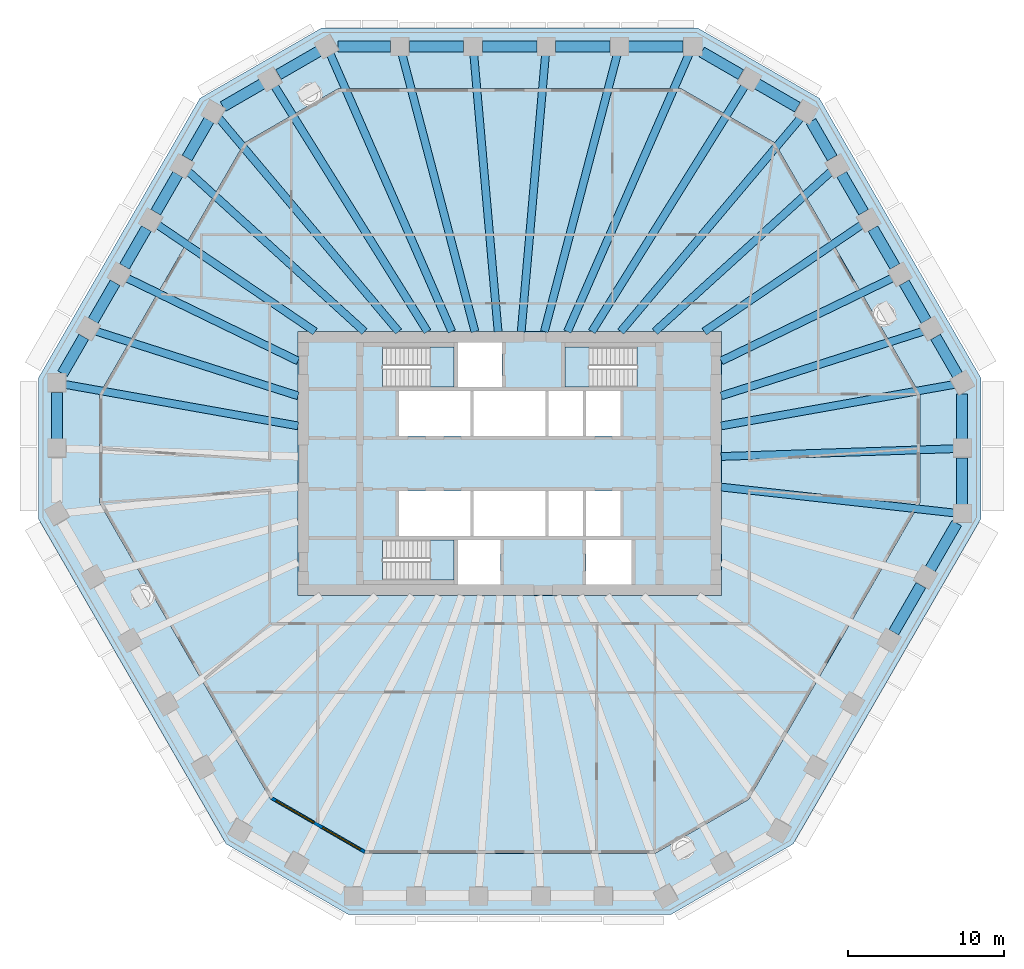
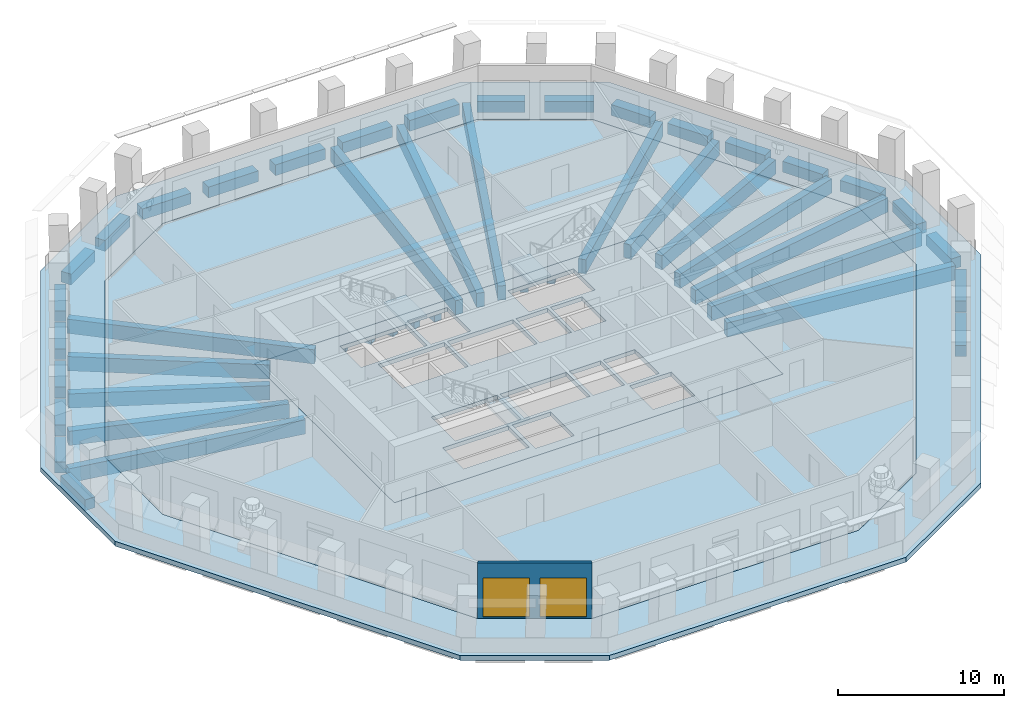
# One storey, part 2 of 12: 46 beams, 6 slabs, 2 windows, 1 wall, 2 openings, 3 elements without a shape of their own.
"""IFC4 building model written with IfcOpenShell, lengths in metres."""

from ifc_helpers import new_model, si_unit, direction, frame, frame_2d, origin, origin_2d, place, context, subcontext, project, spatial, polyline, rectangle, outline, extrude, material, layer, layer_set, material_profile, profile_set, type_object, element, fill, aggregate, save


model = new_model("IFC4")

# Units and contexts
model_context = context("Model", 3, precision=1e-05, world=origin(), true_north=direction((0.0, 1.0)))
body_context = subcontext(model_context, "Body", "Model", "MODEL_VIEW")
ifc_project = project(units=[si_unit("LENGTHUNIT", "METRE"), si_unit("AREAUNIT", "SQUARE_METRE"), si_unit("VOLUMEUNIT", "CUBIC_METRE"), si_unit("PLANEANGLEUNIT", "RADIAN"), si_unit("MASSUNIT", "GRAM", prefix="KILO")], contexts=[model_context])

# Site, building, storey
site_placement = place(None, origin())
site = spatial("IfcSite", under=ifc_project, at=site_placement, CompositionType="ELEMENT")
building_placement = place(site_placement, origin())
building = spatial("IfcBuilding", under=site, at=building_placement, Name="Frailejon Research Tower", CompositionType="ELEMENT")
storey_placement = place(building_placement, frame((0.0, 0.0, 176.0)))
storey = spatial("IfcBuildingStorey", under=building, at=storey_placement, Name="L38", CompositionType="ELEMENT", Elevation=176.0)

# Beams
ifc_material_1 = material(Name="Concrete C60/75", Category="concrete")
ifc_material_profile_1 = material_profile(ifc_material_1, rectangle(XDim=0.5, YDim=1.050048828125, at=origin_2d()), Name="Girder 500x1050")
ifc_profile_set_1 = profile_set([ifc_material_profile_1], Name="Concrete C60/75")
beam_type_1 = type_object("IfcBeamType", Name="Girder 500x1050", PredefinedType="BEAM", material=ifc_profile_set_1)
beam_1_placement = place(storey_placement, frame((28.520751953125, -3.16943359375, -0.824951171875), z_axis=(-0.993882548656, 0.110442199715, 0.0), x_axis=(-0.110442199715, -0.993882548656, 0.0)))
element("IfcBeam", 1, at=beam_1_placement, inside=storey, type_object=beam_type_1, Name="Girder 500x1050", PredefinedType="BEAM", context=body_context, shape_type="SweptSolid", body=[
    extrude(rectangle(XDim=0.5, YDim=1.050048828125, at=origin_2d()), origin(), (0.0, 0.0, 1.0), 15.062744140625),
])
beam_2_placement = place(storey_placement, frame((28.521484375, 0.952880859375, -0.824951171875), z_axis=(-0.999442244743, -0.033394601691, 0.0), x_axis=(0.033394601691, -0.999442244743, 0.0)))
element("IfcBeam", 2, at=beam_2_placement, inside=storey, type_object=beam_type_1, Name="Girder 500x1050", PredefinedType="BEAM", context=body_context, shape_type="SweptSolid", body=[
    extrude(rectangle(XDim=0.5, YDim=1.050048828125, at=origin_2d()), origin(), (0.0, 0.0, 1.0), 14.979736328125),
])
beam_3_placement = place(storey_placement, frame((28.490966796875, 5.070068359375, -0.824951171875), z_axis=(-0.984531009693, -0.175210419075, 0.0), x_axis=(0.175210419075, -0.984531009693, 0.0)))
element("IfcBeam", 3, at=beam_3_placement, inside=storey, type_object=beam_type_1, Name="Girder 500x1050", PredefinedType="BEAM", context=body_context, shape_type="SweptSolid", body=[
    extrude(rectangle(XDim=0.5, YDim=1.050048828125, at=origin_2d()), origin(), (0.0, 0.0, 1.0), 15.17578125),
])
beam_4_placement = place(storey_placement, frame((26.525390625, 8.485595703125, -0.824951171875), z_axis=(-0.952450361998, -0.304693793717, 0.0), x_axis=(0.304693793717, -0.952450361998, 0.0)))
element("IfcBeam", 4, at=beam_4_placement, inside=storey, type_object=beam_type_1, Name="Girder 500x1050", PredefinedType="BEAM", context=body_context, shape_type="SweptSolid", body=[
    extrude(rectangle(XDim=0.5, YDim=1.050048828125, at=origin_2d()), origin(), (0.0, 0.0, 1.0), 13.623046875),
])
beam_5_placement = place(storey_placement, frame((24.556884765625, 11.9013671875, -0.824951171875), z_axis=(-0.8998839043, -0.436129520649, 0.0), x_axis=(0.436129520649, -0.8998839043, 0.0)))
element("IfcBeam", 5, at=beam_5_placement, inside=storey, type_object=beam_type_1, Name="Girder 500x1050", PredefinedType="BEAM", context=body_context, shape_type="SweptSolid", body=[
    extrude(rectangle(XDim=0.5, YDim=1.050048828125, at=origin_2d()), origin(), (0.0, 0.0, 1.0), 12.2314453125),
])
beam_6_placement = place(storey_placement, frame((22.585205078125, 15.316162109375, -0.824951171875), z_axis=(-0.82763999311, -0.561259335606, 0.0), x_axis=(0.561259335606, -0.82763999311, 0.0)))
element("IfcBeam", 6, at=beam_6_placement, inside=storey, type_object=beam_type_1, Name="Girder 500x1050", PredefinedType="BEAM", context=body_context, shape_type="SweptSolid", body=[
    extrude(rectangle(XDim=0.5, YDim=1.050048828125, at=origin_2d()), origin(), (0.0, 0.0, 1.0), 12.233642578125),
])
beam_7_placement = place(storey_placement, frame((20.611328125, 18.72900390625, -0.824951171875), z_axis=(-0.740089665782, -0.672508205603, 0.0), x_axis=(0.672508205603, -0.740089665782, 0.0)))
element("IfcBeam", 7, at=beam_7_placement, inside=storey, type_object=beam_type_1, Name="Girder 500x1050", PredefinedType="BEAM", context=body_context, shape_type="SweptSolid", body=[
    extrude(rectangle(XDim=0.5, YDim=1.050048828125, at=origin_2d()), origin(), (0.0, 0.0, 1.0), 15.28466796875),
])
beam_8_placement = place(storey_placement, frame((18.65478515625, 22.160888671875, -0.824951171875), z_axis=(-0.643995206435, -0.765029524979, 0.0), x_axis=(0.765029524979, -0.643995206435, 0.0)))
element("IfcBeam", 8, at=beam_8_placement, inside=storey, type_object=beam_type_1, Name="Girder 500x1050", PredefinedType="BEAM", context=body_context, shape_type="SweptSolid", body=[
    extrude(rectangle(XDim=0.5, YDim=1.050048828125, at=origin_2d()), origin(), (0.0, 0.0, 1.0), 17.922119140625),
])
beam_9_placement = place(storey_placement, frame((15.0859375, 24.223876953125, -0.824951171875), z_axis=(-0.528635441931, -0.848848967446, 0.0), x_axis=(0.848848967446, -0.528635441931, 0.0)))
element("IfcBeam", 9, at=beam_9_placement, inside=storey, type_object=beam_type_1, Name="Girder 500x1050", PredefinedType="BEAM", context=body_context, shape_type="SweptSolid", body=[
    extrude(rectangle(XDim=0.5, YDim=1.050048828125, at=origin_2d()), origin(), (0.0, 0.0, 1.0), 18.582763671875),
])
beam_10_placement = place(storey_placement, frame((11.494873046875, 26.2373046875, -0.824951171875), z_axis=(-0.401294285485, -0.915949177868, 0.0), x_axis=(0.915949177868, -0.401294285485, 0.0)))
element("IfcBeam", 10, at=beam_10_placement, inside=storey, type_object=beam_type_1, Name="Girder 500x1050", PredefinedType="BEAM", context=body_context, shape_type="SweptSolid", body=[
    extrude(rectangle(XDim=0.5, YDim=1.050048828125, at=origin_2d()), origin(), (0.0, 0.0, 1.0), 19.419677734375),
])
beam_11_placement = place(storey_placement, frame((6.89892578125, 26.2451171875, -0.824951171875), z_axis=(-0.254228774629, -0.967144110332, 0.0), x_axis=(0.967144110332, -0.254228774629, 0.0)))
element("IfcBeam", 11, at=beam_11_placement, inside=storey, type_object=beam_type_1, Name="Girder 500x1050", PredefinedType="BEAM", context=body_context, shape_type="SweptSolid", body=[
    extrude(rectangle(XDim=0.5, YDim=1.050048828125, at=origin_2d()), origin(), (0.0, 0.0, 1.0), 18.399658203125),
])
for number, where, z_axis, x_axis, name in (
    (12, (2.300048828125, 26.24951171875, -0.824951171875), (-0.087284073641, -0.996183462264, 0.0), (0.996183462264, -0.087284073641, 0.0), "Girder 500x1050"),
    (13, (-2.300048828125, 26.24951171875, -0.824951171875), (0.087284073641, -0.996183462264, 0.0), (0.996183462264, 0.087284073641, 0.0), "Girder 500x1050"),
):
    element("IfcBeam", number, at=place(storey_placement, frame(where, z_axis=z_axis, x_axis=x_axis)), inside=storey, type_object=beam_type_1, Name=name, PredefinedType="BEAM", context=body_context, shape_type="SweptSolid", body=[
        extrude(rectangle(XDim=0.5, YDim=1.050048828125, at=origin_2d()), origin(), (0.0, 0.0, 1.0), 17.86767578125),
    ])
beam_12_placement = place(storey_placement, frame((-6.89892578125, 26.2451171875, -0.824951171875), z_axis=(0.254228774629, -0.967144110332, 0.0), x_axis=(0.967144110332, 0.254228774629, 0.0)))
element("IfcBeam", 14, at=beam_12_placement, inside=storey, type_object=beam_type_1, Name="Girder 500x1050", PredefinedType="BEAM", context=body_context, shape_type="SweptSolid", body=[
    extrude(rectangle(XDim=0.5, YDim=1.050048828125, at=origin_2d()), origin(), (0.0, 0.0, 1.0), 18.399658203125),
])
beam_13_placement = place(storey_placement, frame((-11.515380859375, 26.284423828125, -0.824951171875), z_axis=(0.401288427464, -0.915951744353, 0.0), x_axis=(0.915951744353, 0.401288427464, 0.0)))
element("IfcBeam", 15, at=beam_13_placement, inside=storey, type_object=beam_type_1, Name="Girder 500x1050", PredefinedType="BEAM", context=body_context, shape_type="SweptSolid", body=[
    extrude(rectangle(XDim=0.5, YDim=1.050048828125, at=origin_2d()), origin(), (0.0, 0.0, 1.0), 19.470947265625),
])
beam_14_placement = place(storey_placement, frame((-15.0859375, 24.223876953125, -0.824951171875), z_axis=(0.528635441931, -0.848848967446, 0.0), x_axis=(0.848848967446, 0.528635441931, 0.0)))
element("IfcBeam", 16, at=beam_14_placement, inside=storey, type_object=beam_type_1, Name="Girder 500x1050", PredefinedType="BEAM", context=body_context, shape_type="SweptSolid", body=[
    extrude(rectangle(XDim=0.5, YDim=1.050048828125, at=origin_2d()), origin(), (0.0, 0.0, 1.0), 18.582763671875),
])
beam_15_placement = place(storey_placement, frame((-18.63623046875, 22.138916015625, -0.824951171875), z_axis=(0.643993299626, -0.76503113011, 0.0), x_axis=(0.76503113011, 0.643993299626, 0.0)))
element("IfcBeam", 17, at=beam_15_placement, inside=storey, type_object=beam_type_1, Name="Girder 500x1050", PredefinedType="BEAM", context=body_context, shape_type="SweptSolid", body=[
    extrude(rectangle(XDim=0.5, YDim=1.050048828125, at=origin_2d()), origin(), (0.0, 0.0, 1.0), 17.893310546875),
])
beam_16_placement = place(storey_placement, frame((-20.611328125, 18.72900390625, -0.824951171875), z_axis=(0.740089665782, -0.672508205603, 0.0), x_axis=(0.672508205603, 0.740089665782, 0.0)))
element("IfcBeam", 18, at=beam_16_placement, inside=storey, type_object=beam_type_1, Name="Girder 500x1050", PredefinedType="BEAM", context=body_context, shape_type="SweptSolid", body=[
    extrude(rectangle(XDim=0.5, YDim=1.050048828125, at=origin_2d()), origin(), (0.0, 0.0, 1.0), 15.28466796875),
])
beam_17_placement = place(storey_placement, frame((-22.585205078125, 15.316162109375, -0.824951171875), z_axis=(0.82763999311, -0.561259335606, 0.0), x_axis=(0.561259335606, 0.82763999311, 0.0)))
element("IfcBeam", 19, at=beam_17_placement, inside=storey, type_object=beam_type_1, Name="Girder 500x1050", PredefinedType="BEAM", context=body_context, shape_type="SweptSolid", body=[
    extrude(rectangle(XDim=0.5, YDim=1.050048828125, at=origin_2d()), origin(), (0.0, 0.0, 1.0), 12.233642578125),
])
beam_18_placement = place(storey_placement, frame((-24.556884765625, 11.9013671875, -0.824951171875), z_axis=(0.8998839043, -0.436129520649, 0.0), x_axis=(0.436129520649, 0.8998839043, 0.0)))
element("IfcBeam", 20, at=beam_18_placement, inside=storey, type_object=beam_type_1, Name="Girder 500x1050", PredefinedType="BEAM", context=body_context, shape_type="SweptSolid", body=[
    extrude(rectangle(XDim=0.5, YDim=1.050048828125, at=origin_2d()), origin(), (0.0, 0.0, 1.0), 12.2314453125),
])
beam_19_placement = place(storey_placement, frame((-26.525390625, 8.485595703125, -0.824951171875), z_axis=(0.952450361998, -0.304693793717, 0.0), x_axis=(0.304693793717, 0.952450361998, 0.0)))
element("IfcBeam", 21, at=beam_19_placement, inside=storey, type_object=beam_type_1, Name="Girder 500x1050", PredefinedType="BEAM", context=body_context, shape_type="SweptSolid", body=[
    extrude(rectangle(XDim=0.5, YDim=1.050048828125, at=origin_2d()), origin(), (0.0, 0.0, 1.0), 13.623046875),
])
beam_20_placement = place(storey_placement, frame((-28.519287109375, 5.074951171875, -0.824951171875), z_axis=(0.984532792738, -0.175200399608, 0.0), x_axis=(0.175200399608, 0.984532792738, 0.0)))
element("IfcBeam", 22, at=beam_20_placement, inside=storey, type_object=beam_type_1, Name="Girder 500x1050", PredefinedType="BEAM", context=body_context, shape_type="SweptSolid", body=[
    extrude(rectangle(XDim=0.5, YDim=1.050048828125, at=origin_2d()), origin(), (0.0, 0.0, 1.0), 15.204345703125),
])
ifc_material_2 = material(Name="Concrete C60/75", Category="concrete")
ifc_material_profile_2 = material_profile(ifc_material_2, rectangle(XDim=0.699951171875, YDim=0.800048828125, at=origin_2d()), Name="Spandrel 700x800")
ifc_profile_set_2 = profile_set([ifc_material_profile_2], Name="Concrete C60/75")
beam_type_2 = type_object("IfcBeamType", Name="Spandrel 700x800", PredefinedType="BEAM", material=ifc_profile_set_2)
beam_21_placement = place(storey_placement, frame((28.9716796875, -2.61962890625, -0.75), z_axis=(0.0, 1.0, 0.0), x_axis=(-1.0, 0.0, 0.0)))
element("IfcBeam", 23, at=beam_21_placement, inside=storey, type_object=beam_type_2, Name="Spandrel 700x800", PredefinedType="BEAM", context=body_context, shape_type="SweptSolid", body=[
    extrude(rectangle(XDim=0.699951171875, YDim=0.800048828125, at=origin_2d()), origin(), (0.0, 0.0, 1.0), 2.987548828125),
])
beam_22_placement = place(storey_placement, frame((28.9716796875, 1.56787109375, -0.75), z_axis=(0.0, 1.0, 0.0), x_axis=(-1.0, 0.0, 0.0)))
element("IfcBeam", 24, at=beam_22_placement, inside=storey, type_object=beam_type_2, Name="Spandrel 700x800", PredefinedType="BEAM", context=body_context, shape_type="SweptSolid", body=[
    extrude(rectangle(XDim=0.699951171875, YDim=0.800048828125, at=origin_2d()), origin(), (0.0, 0.0, 1.0), 2.894775390625),
])
beam_23_placement = place(storey_placement, frame((28.671630859375, 5.675048828125, -0.75), z_axis=(-0.499990825162, 0.866030700815, 0.0), x_axis=(-0.866030700815, -0.499990825162, 0.0)))
element("IfcBeam", 25, at=beam_23_placement, inside=storey, type_object=beam_type_2, Name="Spandrel 700x800", PredefinedType="BEAM", context=body_context, shape_type="SweptSolid", body=[
    extrude(rectangle(XDim=0.699951171875, YDim=0.800048828125, at=origin_2d()), origin(), (0.0, 0.0, 1.0), 2.80859375),
])
for number, where, z_axis, x_axis, name in (
    (26, (26.66748046875, 9.146484375, -0.75), (-0.500028466558, 0.866008967986, 0.0), (-0.866008967986, -0.500028466558, 0.0), "Spandrel 700x800"),
    (27, (24.6630859375, 12.617919921875, -0.75), (-0.499963266355, 0.866046610925, 0.0), (-0.866046610925, -0.499963266355, 0.0), "Spandrel 700x800"),
    (28, (22.658935546875, 16.08935546875, -0.75), (-0.499963266355, 0.866046610925, 0.0), (-0.866046610925, -0.499963266355, 0.0), "Spandrel 700x800"),
):
    element("IfcBeam", number, at=place(storey_placement, frame(where, z_axis=z_axis, x_axis=x_axis)), inside=storey, type_object=beam_type_2, Name=name, PredefinedType="BEAM", context=body_context, shape_type="SweptSolid", body=[
        extrude(rectangle(XDim=0.699951171875, YDim=0.800048828125, at=origin_2d()), origin(), (0.0, 0.0, 1.0), 2.808349609375),
    ])
beam_24_placement = place(storey_placement, frame((20.65478515625, 19.560546875, -0.75), z_axis=(-0.49995852136, 0.866049350164, 0.0), x_axis=(-0.866049350164, -0.49995852136, 0.0)))
element("IfcBeam", 29, at=beam_24_placement, inside=storey, type_object=beam_type_2, Name="Spandrel 700x800", PredefinedType="BEAM", context=body_context, shape_type="SweptSolid", body=[
    extrude(rectangle(XDim=0.699951171875, YDim=0.800048828125, at=origin_2d()), origin(), (0.0, 0.0, 1.0), 2.715576171875),
])
beam_25_placement = place(storey_placement, frame((18.430908203125, 22.8125, -0.75), z_axis=(-0.86603180189, 0.499988917992, 0.0), x_axis=(-0.499988917992, -0.86603180189, 0.0)))
element("IfcBeam", 30, at=beam_25_placement, inside=storey, type_object=beam_type_2, Name="Spandrel 700x800", PredefinedType="BEAM", context=body_context, shape_type="SweptSolid", body=[
    extrude(rectangle(XDim=0.699951171875, YDim=0.800048828125, at=origin_2d()), origin(), (0.0, 0.0, 1.0), 2.9873046875),
])
beam_26_placement = place(storey_placement, frame((14.804443359375, 24.90625, -0.75), z_axis=(-0.866033897268, 0.499985288567, 0.0), x_axis=(-0.499985288567, -0.866033897268, 0.0)))
element("IfcBeam", 31, at=beam_26_placement, inside=storey, type_object=beam_type_2, Name="Spandrel 700x800", PredefinedType="BEAM", context=body_context, shape_type="SweptSolid", body=[
    extrude(rectangle(XDim=0.699951171875, YDim=0.800048828125, at=origin_2d()), origin(), (0.0, 0.0, 1.0), 2.89453125),
])
for number, where, z_axis, x_axis, name in (
    (32, (11.097412109375, 26.699951171875, -0.75), (-1.0, 0.0, 0.0), (0.0, -1.0, 0.0), "Spandrel 700x800"),
    (33, (6.41845703125, 26.699951171875, -0.75), (-1.0, 0.0, 0.0), (0.0, -1.0, 0.0), "Spandrel 700x800"),
    (34, (1.739501953125, 26.699951171875, -0.75), (-1.0, 0.0, 0.0), (0.0, -1.0, 0.0), "Spandrel 700x800"),
    (35, (-2.939453125, 26.699951171875, -0.75), (-1.0, 0.0, 0.0), (0.0, -1.0, 0.0), "Spandrel 700x800"),
):
    element("IfcBeam", number, at=place(storey_placement, frame(where, z_axis=z_axis, x_axis=x_axis)), inside=storey, type_object=beam_type_2, Name=name, PredefinedType="BEAM", context=body_context, shape_type="SweptSolid", body=[
        extrude(rectangle(XDim=0.699951171875, YDim=0.800048828125, at=origin_2d()), origin(), (0.0, 0.0, 1.0), 3.47900390625),
    ])
beam_27_placement = place(storey_placement, frame((-7.618408203125, 26.699951171875, -0.75), z_axis=(-1.0, 0.0, 0.0), x_axis=(0.0, -1.0, 0.0)))
element("IfcBeam", 36, at=beam_27_placement, inside=storey, type_object=beam_type_2, Name="Spandrel 700x800", PredefinedType="BEAM", context=body_context, shape_type="SweptSolid", body=[
    extrude(rectangle(XDim=0.699951171875, YDim=0.800048828125, at=origin_2d()), origin(), (0.0, 0.0, 1.0), 3.38623046875),
])
beam_28_placement = place(storey_placement, frame((-12.217041015625, 26.39990234375, -0.75), z_axis=(-0.866052229876, -0.499953532967, 0.0), x_axis=(0.499953532967, -0.866052229876, 0.0)))
element("IfcBeam", 37, at=beam_28_placement, inside=storey, type_object=beam_type_2, Name="Spandrel 700x800", PredefinedType="BEAM", context=body_context, shape_type="SweptSolid", body=[
    extrude(rectangle(XDim=0.699951171875, YDim=0.800048828125, at=origin_2d()), origin(), (0.0, 0.0, 1.0), 2.987548828125),
])
beam_29_placement = place(storey_placement, frame((-15.84375, 24.30615234375, -0.75), z_axis=(-0.866033897268, -0.499985288567, 0.0), x_axis=(0.499985288567, -0.866033897268, 0.0)))
element("IfcBeam", 38, at=beam_29_placement, inside=storey, type_object=beam_type_2, Name="Spandrel 700x800", PredefinedType="BEAM", context=body_context, shape_type="SweptSolid", body=[
    extrude(rectangle(XDim=0.699951171875, YDim=0.800048828125, at=origin_2d()), origin(), (0.0, 0.0, 1.0), 2.89453125),
])
beam_30_placement = place(storey_placement, frame((-19.25048828125, 21.992919921875, -0.75), z_axis=(-0.499990825162, -0.866030700815, 0.0), x_axis=(0.866030700815, -0.499990825162, 0.0)))
element("IfcBeam", 39, at=beam_30_placement, inside=storey, type_object=beam_type_2, Name="Spandrel 700x800", PredefinedType="BEAM", context=body_context, shape_type="SweptSolid", body=[
    extrude(rectangle(XDim=0.699951171875, YDim=0.800048828125, at=origin_2d()), origin(), (0.0, 0.0, 1.0), 2.80859375),
])
for number, where, z_axis, x_axis, name in (
    (40, (-21.2548828125, 18.521484375, -0.75), (-0.499963266355, -0.866046610925, 0.0), (0.866046610925, -0.499963266355, 0.0), "Spandrel 700x800"),
    (41, (-23.259033203125, 15.050048828125, -0.75), (-0.499963266355, -0.866046610925, 0.0), (0.866046610925, -0.499963266355, 0.0), "Spandrel 700x800"),
    (42, (-25.26318359375, 11.57861328125, -0.75), (-0.500028466558, -0.866008967986, 0.0), (0.866008967986, -0.500028466558, 0.0), "Spandrel 700x800"),
):
    element("IfcBeam", number, at=place(storey_placement, frame(where, z_axis=z_axis, x_axis=x_axis)), inside=storey, type_object=beam_type_2, Name=name, PredefinedType="BEAM", context=body_context, shape_type="SweptSolid", body=[
        extrude(rectangle(XDim=0.699951171875, YDim=0.800048828125, at=origin_2d()), origin(), (0.0, 0.0, 1.0), 2.808349609375),
    ])
beam_31_placement = place(storey_placement, frame((-27.267333984375, 8.107421875, -0.75), z_axis=(-0.500025948863, -0.866010421683, 0.0), x_axis=(0.866010421683, -0.500025948863, 0.0)))
element("IfcBeam", 43, at=beam_31_placement, inside=storey, type_object=beam_type_2, Name="Spandrel 700x800", PredefinedType="BEAM", context=body_context, shape_type="SweptSolid", body=[
    extrude(rectangle(XDim=0.699951171875, YDim=0.800048828125, at=origin_2d()), origin(), (0.0, 0.0, 1.0), 2.715576171875),
])
beam_32_placement = place(storey_placement, frame((-28.9716796875, 4.555419921875, -0.75), z_axis=(0.0, -1.0, 0.0), x_axis=(1.0, 0.0, 0.0)))
element("IfcBeam", 44, at=beam_32_placement, inside=storey, type_object=beam_type_2, Name="Spandrel 700x800", PredefinedType="BEAM", context=body_context, shape_type="SweptSolid", body=[
    extrude(rectangle(XDim=0.699951171875, YDim=0.800048828125, at=origin_2d()), origin(), (0.0, 0.0, 1.0), 2.987548828125),
])
beam_33_placement = place(storey_placement, frame((24.592529296875, -10.80419921875, -0.75), z_axis=(0.500026194733, 0.86601027972, 0.0), x_axis=(-0.86601027972, 0.500026194733, 0.0)))
element("IfcBeam", 45, at=beam_33_placement, inside=storey, type_object=beam_type_2, Name="Spandrel 700x800", PredefinedType="BEAM", context=body_context, shape_type="SweptSolid", body=[
    extrude(rectangle(XDim=0.699951171875, YDim=0.800048828125, at=origin_2d()), origin(), (0.0, 0.0, 1.0), 3.478759765625),
])
beam_34_placement = place(storey_placement, frame((26.93212890625, -6.752197265625, -0.75), z_axis=(0.499992893009, 0.866029506969, 0.0), x_axis=(-0.866029506969, 0.499992893009, 0.0)))
element("IfcBeam", 46, at=beam_34_placement, inside=storey, type_object=beam_type_2, Name="Spandrel 700x800", PredefinedType="BEAM", context=body_context, shape_type="SweptSolid", body=[
    extrude(rectangle(XDim=0.699951171875, YDim=0.800048828125, at=origin_2d()), origin(), (0.0, 0.0, 1.0), 3.38623046875),
])

# Slabs
ifc_material_3 = material(Name="Concrete C60/75", Category="concrete")
ifc_layer_1 = layer(ifc_material_3, 0.300048828125)
ifc_layer_set_1 = layer_set([ifc_layer_1], Name="Core floor slab 300 C60/75")
slab_type_1 = type_object("IfcSlabType", Name="Core floor slab 300 C60/75", PredefinedType="FLOOR", material=ifc_layer_set_1)
slab_1_placement = place(storey_placement, frame((0.0, 0.0, -0.300048828125)))
element("IfcSlab", 47, at=slab_1_placement, inside=storey, type_object=slab_type_1, Name="Core floor slab", PredefinedType="FLOOR", context=body_context, shape_type="SweptSolid", body=[
    extrude(outline(polyline([(13.550048828125, -8.449951171875), (13.550048828125, 8.449951171875), (-13.550048828125, 8.449951171875), (-13.550048828125, -8.449951171875), (13.550048828125, -8.449951171875)]), holes=[polyline([(-2.5, 1.75), (-2.5, 4.64990234375), (-7.10009765625, 4.64990234375), (-7.10009765625, 1.75), (-2.5, 1.75)]), polyline([(2.300048828125, 1.75), (2.300048828125, 4.64990234375), (-2.300048828125, 4.64990234375), (-2.300048828125, 1.75), (2.300048828125, 1.75)]), polyline([(4.699951171875, 1.75), (4.699951171875, 4.64990234375), (2.5, 4.64990234375), (2.5, 1.75), (4.699951171875, 1.75)]), polyline([(7.10009765625, 1.75), (7.10009765625, 4.64990234375), (4.89990234375, 4.64990234375), (4.89990234375, 1.75), (7.10009765625, 1.75)]), polyline([(-2.5, -4.64990234375), (-2.5, -1.75), (-7.10009765625, -1.75), (-7.10009765625, -4.64990234375), (-2.5, -4.64990234375)]), polyline([(2.300048828125, -4.64990234375), (2.300048828125, -1.75), (-2.300048828125, -1.75), (-2.300048828125, -4.64990234375), (2.300048828125, -4.64990234375)]), polyline([(4.699951171875, -4.64990234375), (4.699951171875, -1.75), (2.5, -1.75), (2.5, -4.64990234375), (4.699951171875, -4.64990234375)]), polyline([(7.10009765625, -4.64990234375), (7.10009765625, -1.75), (4.89990234375, -1.75), (4.89990234375, -4.64990234375), (7.10009765625, -4.64990234375)]), polyline([(-8.14697265625, 4.89990234375), (-3.550048828125, 4.89990234375), (-3.550048828125, 7.449951171875), (-8.14697265625, 7.449951171875), (-8.14697265625, 4.89990234375)]), polyline([(-8.14697265625, -7.449951171875), (-3.550048828125, -7.449951171875), (-3.550048828125, -4.89990234375), (-8.14697265625, -4.89990234375), (-8.14697265625, -7.449951171875)]), polyline([(8.14697265625, 7.449951171875), (3.550048828125, 7.449951171875), (3.550048828125, 4.89990234375), (8.14697265625, 4.89990234375), (8.14697265625, 7.449951171875)]), polyline([(-0.60009765625, -7.75), (-0.60009765625, -4.89990234375), (-3.300048828125, -4.89990234375), (-3.300048828125, -7.75), (-0.60009765625, -7.75)]), polyline([(7.800048828125, -7.75), (7.800048828125, -4.89990234375), (4.89990234375, -4.89990234375), (4.89990234375, -7.75), (7.800048828125, -7.75)]), polyline([(-0.5, 4.89990234375), (-0.5, 7.75), (-3.300048828125, 7.75), (-3.300048828125, 4.89990234375), (-0.5, 4.89990234375)])]), origin(), (0.0, 0.0, 1.0), 0.300048828125),
])
ifc_material_4 = material(Name="Concrete C40/50", Category="concrete")
ifc_layer_2 = layer(ifc_material_4, 0.35009765625)
ifc_layer_set_2 = layer_set([ifc_layer_2], Name="Loggia slab 350")
slab_type_2 = type_object("IfcSlabType", Name="Loggia slab 350", PredefinedType="USERDEFINED", material=ifc_layer_set_2)
slab_2_placement = place(storey_placement, frame((0.0, 0.0, -0.35009765625)))
element("IfcSlab", 48, at=slab_2_placement, inside=storey, type_object=slab_type_2, Name="Loggia slab L38", ObjectType="LOGGIA", PredefinedType="USERDEFINED", context=body_context, shape_type="SweptSolid", body=[
    extrude(outline(polyline([(18.152587890625, -24.35888671875), (10.342529296875, -28.867919921875), (-10.342529296875, -28.867919921875), (-18.152587890625, -24.35888671875), (-30.171630859375, -3.541259765625), (-30.171630859375, 5.47705078125), (-19.8291015625, 23.390869140625), (-12.01904296875, 27.89990234375), (12.01904296875, 27.89990234375), (19.8291015625, 23.390869140625), (30.171630859375, 5.47705078125), (30.171630859375, -3.541259765625), (18.152587890625, -24.35888671875)]), holes=[polyline([(26.271484375, 4.431884765625), (16.97412109375, 20.535888671875), (10.97412109375, 24.0), (-10.97412109375, 24.0), (-16.97412109375, 20.535888671875), (-26.271484375, 4.431884765625), (-26.271484375, -2.49609375), (-15.297607421875, -21.50390625), (-9.297607421875, -24.968017578125), (9.297607421875, -24.968017578125), (15.297607421875, -21.50390625), (26.271484375, -2.49609375), (26.271484375, 4.431884765625)])]), origin(), (0.0, 0.0, 1.0), 0.35009765625),
])
ifc_material_5 = material(Name="Concrete C40/50", Category="concrete")
ifc_layer_3 = layer(ifc_material_5, 0.300048828125)
ifc_layer_set_3 = layer_set([ifc_layer_3], Name="Slab typical 300")
slab_type_3 = type_object("IfcSlabType", Name="Slab typical 300", PredefinedType="FLOOR", material=ifc_layer_set_3)
slab_3_placement = place(storey_placement, frame((0.0, 0.0, -0.300048828125)))
element("IfcSlab", 49, at=slab_3_placement, inside=storey, type_object=slab_type_3, Name="Floor slab L38", PredefinedType="FLOOR", context=body_context, shape_type="SweptSolid", body=[
    extrude(outline(polyline([(26.271484375, -2.49609375), (26.271484375, 4.431884765625), (16.97412109375, 20.535888671875), (10.97412109375, 24.0), (-10.97412109375, 24.0), (-16.97412109375, 20.535888671875), (-26.271484375, 4.431884765625), (-26.271484375, -2.49609375), (-15.297607421875, -21.50390625), (-9.297607421875, -24.968017578125), (9.297607421875, -24.968017578125), (15.297607421875, -21.50390625), (26.271484375, -2.49609375)]), holes=[polyline([(13.550048828125, -8.449951171875), (-13.550048828125, -8.449951171875), (-13.550048828125, 8.449951171875), (13.550048828125, 8.449951171875), (13.550048828125, -8.449951171875)])]), origin(), (0.0, 0.0, 1.0), 0.300048828125),
])

# Stair, slab
ifc_material_6 = material(Name="Concrete C50/60", Category="concrete")
stair_type = type_object("IfcStairType", Name="Exit stair 24 risers", PredefinedType="HALF_TURN_STAIR", material=ifc_material_6)
stair_1_placement = place(storey_placement, origin())
stair_1 = element("IfcStair", 50, at=stair_1_placement, inside=storey, type_object=stair_type, Name="L38 Exit stair ST1", PredefinedType="HALF_TURN_STAIR")
ifc_material_7 = material(Name="Concrete C50/60", Category="concrete")
ifc_layer_4 = layer(ifc_material_7, 0.199951171875)
ifc_layer_set_4 = layer_set([ifc_layer_4], Name="Stair landing slab 200")
slab_type_4 = type_object("IfcSlabType", Name="Stair landing slab 200", PredefinedType="LANDING", material=ifc_layer_set_4)
slab_4_placement = place(storey_placement, frame((0.0, 0.0, 2.0)))
slab_4 = element("IfcSlab", 51, at=slab_4_placement, type_object=slab_type_4, Name="ST1 landing 1", PredefinedType="LANDING", context=body_context, shape_type="SweptSolid", body=[
    extrude(outline(polyline([(-5.070068359375, 4.89990234375), (-3.550048828125, 4.89990234375), (-3.550048828125, 7.449951171875), (-5.070068359375, 7.449951171875), (-5.070068359375, 4.89990234375)])), origin(), (0.0, 0.0, 1.0), 0.199951171875),
])
aggregate(stair_1, [slab_4])

stair_2_placement = place(storey_placement, origin())
stair_2 = element("IfcStair", 52, at=stair_2_placement, inside=storey, type_object=stair_type, Name="L38 Exit stair ST2", PredefinedType="HALF_TURN_STAIR")
slab_5_placement = place(storey_placement, frame((0.0, 0.0, 2.0)))
slab_5 = element("IfcSlab", 53, at=slab_5_placement, type_object=slab_type_4, Name="ST2 landing 1", PredefinedType="LANDING", context=body_context, shape_type="SweptSolid", body=[
    extrude(outline(polyline([(-5.070068359375, -7.449951171875), (-3.550048828125, -7.449951171875), (-3.550048828125, -4.89990234375), (-5.070068359375, -4.89990234375), (-5.070068359375, -7.449951171875)])), origin(), (0.0, 0.0, 1.0), 0.199951171875),
])
aggregate(stair_2, [slab_5])

stair_3_placement = place(storey_placement, origin())
stair_3 = element("IfcStair", 54, at=stair_3_placement, inside=storey, type_object=stair_type, Name="L38 Exit stair ST3", PredefinedType="HALF_TURN_STAIR")
slab_6_placement = place(storey_placement, frame((0.0, 0.0, 2.0)))
slab_6 = element("IfcSlab", 55, at=slab_6_placement, type_object=slab_type_4, Name="ST3 landing 1", PredefinedType="LANDING", context=body_context, shape_type="SweptSolid", body=[
    extrude(outline(polyline([(5.070068359375, 7.449951171875), (3.550048828125, 7.449951171875), (3.550048828125, 4.89990234375), (5.070068359375, 4.89990234375), (5.070068359375, 7.449951171875)])), origin(), (0.0, 0.0, 1.0), 0.199951171875),
])
aggregate(stair_3, [slab_6])

# Wall, openings, windows
ifc_material_8 = material(Name="Concrete C40/50 precast window wall panel", Category="concrete")
ifc_layer_5 = layer(ifc_material_8, 0.199951171875)
ifc_layer_set_5 = layer_set([ifc_layer_5], Name="Window wall 200")
wall_type = type_object("IfcWallType", Name="Window wall 200", PredefinedType="SOLIDWALL", material=ifc_layer_set_5)
wall_placement = place(storey_placement, frame((-15.224365234375, -21.4306640625, 0.0), z_axis=(0.0, 0.0, 1.0), x_axis=(0.866029458321, -0.49999297727, 0.0)))
wall = element("IfcWall", 56, at=wall_placement, inside=storey, type_object=wall_type, Name="Exterior wall L38", PredefinedType="SOLIDWALL", context=body_context, shape_type="SweptSolid", body=[
    extrude(outline(polyline([(-0.02685546875, -0.10009765625), (1.1279296875, -0.10009765625), (2.282470703125, -0.10009765625), (3.437255859375, -0.10009765625), (4.592041015625, -0.10009765625), (5.74658203125, -0.10009765625), (6.9013671875, -0.10009765625), (6.84765625, 0.10009765625), (5.7109375, 0.10009765625), (4.573974609375, 0.10009765625), (3.437255859375, 0.10009765625), (2.300537109375, 0.10009765625), (1.16357421875, 0.10009765625), (0.02685546875, 0.10009765625), (-0.02685546875, -0.10009765625)])), origin(), (0.0, 0.0, 1.0), 4.10009765625),
])
opening_1_placement = place(wall_placement, frame((0.318603515625, 0.0, 0.10009765625)))
opening_1 = element("IfcOpeningElement", 57, at=opening_1_placement, cuts=wall, Name="Opening W3", PredefinedType="OPENING", context=body_context, shape_type="SweptSolid", body=[
    extrude(rectangle(XDim=2.800048828125, YDim=2.89990234375, at=frame_2d((1.39990234375, 1.449951171875))), frame((0.0, 0.10986328125, 0.0), z_axis=(0.0, -1.0, 0.0), x_axis=(1.0, 0.0, 0.0)), (0.0, 0.0, 1.0), 0.219970703125),
])
opening_2_placement = place(wall_placement, frame((3.756103515625, 0.0, 0.10009765625)))
opening_2 = element("IfcOpeningElement", 58, at=opening_2_placement, cuts=wall, Name="Opening W3", PredefinedType="OPENING", context=body_context, shape_type="SweptSolid", body=[
    extrude(rectangle(XDim=2.800048828125, YDim=2.89990234375, at=frame_2d((1.39990234375, 1.449951171875))), frame((0.0, 0.10986328125, 0.0), z_axis=(0.0, -1.0, 0.0), x_axis=(1.0, 0.0, 0.0)), (0.0, 0.0, 1.0), 0.219970703125),
])
ifc_material_9 = material(Name="Aluminium framed double glazing", Category="aluminium")
window_type = type_object("IfcWindowType", Name="Window 2800x2900", PartitioningType="SINGLE_PANEL", PredefinedType="WINDOW", material=ifc_material_9)
window_1_placement = place(opening_1_placement, origin())
window_1 = element("IfcWindow", 59, at=window_1_placement, inside=storey, type_object=window_type, Name="Window L38", OverallHeight=2.89990234375, OverallWidth=2.800048828125, PartitioningType="SINGLE_PANEL", PredefinedType="WINDOW", context=body_context, shape_type="SweptSolid", body=[
    extrude(rectangle(XDim=2.800048828125, YDim=2.89990234375, at=frame_2d((1.39990234375, 1.449951171875))), frame((0.0, 0.030029296875, 0.0), z_axis=(0.0, -1.0, 0.0), x_axis=(1.0, 0.0, 0.0)), (0.0, 0.0, 1.0), 0.06005859375),
])
fill(opening_1, window_1)
window_2_placement = place(opening_2_placement, origin())
window_2 = element("IfcWindow", 60, at=window_2_placement, inside=storey, type_object=window_type, Name="Window L38", OverallHeight=2.89990234375, OverallWidth=2.800048828125, PartitioningType="SINGLE_PANEL", PredefinedType="WINDOW", context=body_context, shape_type="SweptSolid", body=[
    extrude(rectangle(XDim=2.800048828125, YDim=2.89990234375, at=frame_2d((1.39990234375, 1.449951171875))), frame((0.0, 0.030029296875, 0.0), z_axis=(0.0, -1.0, 0.0), x_axis=(1.0, 0.0, 0.0)), (0.0, 0.0, 1.0), 0.06005859375),
])
fill(opening_2, window_2)

save(model, "model.ifc")
